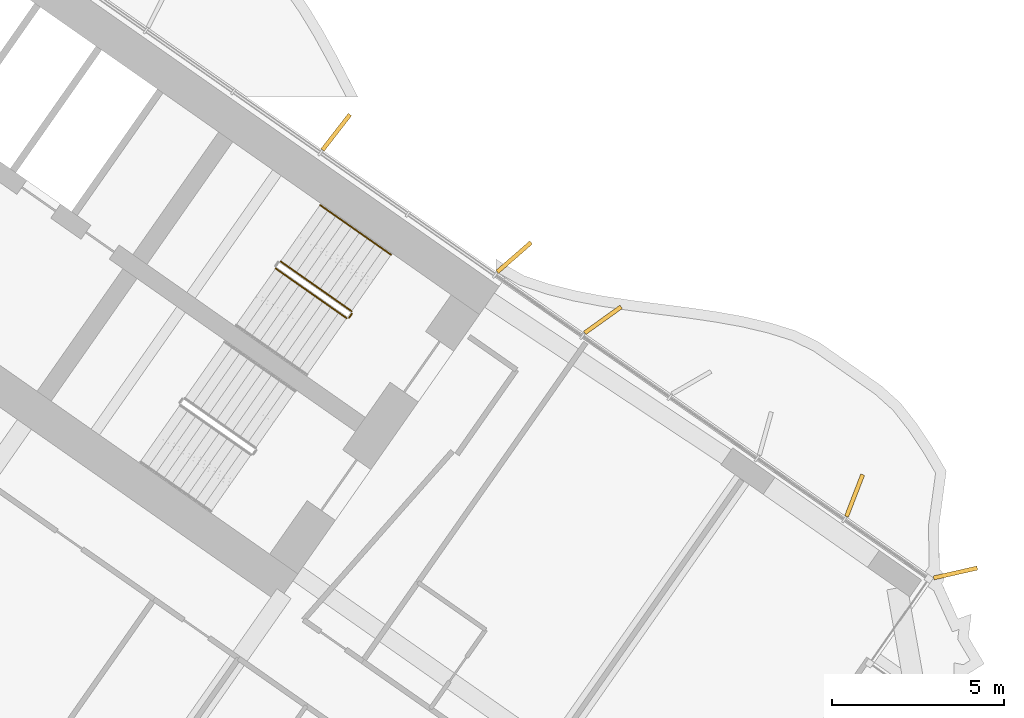
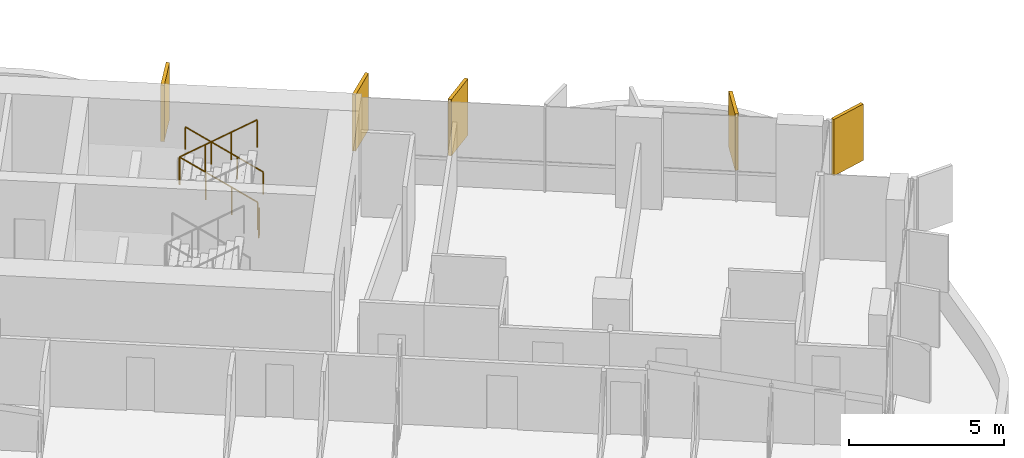
# One storey, part 23 of 23: 5 shading devices, 4 railings.
"""IFC4 building model written with IfcOpenShell, lengths in metres."""

import ifcopenshell
import ifcopenshell.guid

model = None  # the IFC model being written
_history = None  # IfcOwnerHistory: only IFC2X3 demands one
_inside = {}  # id of a spatial element -> (the spatial element, [elements in it])
_under = {}  # id of a project, library or spatial element -> (it, [spatial elements below it])
_declared = {}  # id of a project -> (the project, [libraries it declares])
_typed = {}  # id of a type object -> (the type object, [elements of that type])
_made_of = {}  # id of a material, layer set ... -> (it, [elements and type objects made of it])


def new_model(schema):
    """Start an empty IFC model of exactly this schema.

    Asked for "IFC4X3", IfcOpenShell would pick the latest addendum, in which some entities
    have other attributes; the version numbers below select the first issue.
    IFC2X3 requires an IfcOwnerHistory on every rooted entity: one is made here for all.
    """
    global model, _history
    if schema == "IFC4X3":
        model = ifcopenshell.file(schema_version=(4, 3, 0, 0))
    else:
        model = ifcopenshell.file(schema=schema)
    _inside.clear()
    _under.clear()
    _declared.clear()
    _typed.clear()
    _made_of.clear()
    _history = None
    if model.schema == "IFC2X3":
        org = make("IfcOrganization", Name="unknown")
        user = make(
            "IfcPersonAndOrganization",
            ThePerson=make("IfcPerson", FamilyName="unknown"),
            TheOrganization=org,
        )
        app = make(
            "IfcApplication",
            ApplicationDeveloper=org,
            Version="unknown",
            ApplicationFullName="unknown",
            ApplicationIdentifier="unknown",
        )
        _history = make(
            "IfcOwnerHistory",
            OwningUser=user,
            OwningApplication=app,
            ChangeAction="ADDED",
            CreationDate=0,
        )
    return model


def make(cls, **values):
    """One entity of the class cls with the attributes given. An attribute that is None is left unset."""
    return model.create_entity(
        cls, **{name: value for name, value in values.items() if value is not None}
    )


def rooted(cls, **values):
    """An entity with a GlobalId (a new one), such as an element, a storey or a relation."""
    return make(cls, GlobalId=ifcopenshell.guid.new(), OwnerHistory=_history, **values)


def si_unit(unit_type, name, prefix=None):
    """IfcSIUnit, for example si_unit("LENGTHUNIT", "METRE", prefix="MILLI")."""
    return make("IfcSIUnit", UnitType=unit_type, Prefix=prefix, Name=name)


def assignment(units):
    """IfcUnitAssignment: the units of a project."""
    return None if units is None else make("IfcUnitAssignment", Units=units)


def point(xyz):
    """IfcCartesianPoint."""
    return None if xyz is None else make("IfcCartesianPoint", Coordinates=xyz)


def direction(xyz):
    """IfcDirection."""
    return None if xyz is None else make("IfcDirection", DirectionRatios=xyz)


def frame(location, z_axis=None, x_axis=None):
    """IfcAxis2Placement3D, a coordinate frame: its origin and axes. An axis left out is left unset."""
    return make(
        "IfcAxis2Placement3D",
        Location=point(location),
        Axis=direction(z_axis),
        RefDirection=direction(x_axis),
    )


def frame_2d(location, x_axis=None):
    """IfcAxis2Placement2D, a coordinate frame in the plane: its origin and x axis."""
    return make(
        "IfcAxis2Placement2D", Location=point(location), RefDirection=direction(x_axis)
    )


def origin():
    """The frame at (0, 0, 0) with its axes left unset."""
    return frame((0.0, 0.0, 0.0))


def origin_2d():
    """The frame at (0, 0) in the plane with its x axis left unset."""
    return frame_2d((0.0, 0.0))


def place(relative_to, where):
    """IfcLocalPlacement: puts the frame where relative to a parent placement (None: the world)."""
    return make(
        "IfcLocalPlacement", PlacementRelTo=relative_to, RelativePlacement=where
    )


def context(
    kind, dimensions, precision=None, world=None, true_north=None, identifier=None
):
    """IfcGeometricRepresentationContext, for example the 3D "Model" context."""
    return make(
        "IfcGeometricRepresentationContext",
        ContextIdentifier=identifier,
        ContextType=kind,
        CoordinateSpaceDimension=dimensions,
        Precision=precision,
        WorldCoordinateSystem=world,
        TrueNorth=true_north,
    )


def subcontext(parent, identifier, kind, view, scale=None):
    """IfcGeometricRepresentationSubContext, for example "Body" below "Model"."""
    return make(
        "IfcGeometricRepresentationSubContext",
        ContextIdentifier=identifier,
        ContextType=kind,
        ParentContext=parent,
        TargetScale=scale,
        TargetView=view,
    )


def project(units=None, contexts=None):
    """IfcProject with its units and contexts."""
    return rooted(
        "IfcProject",
        Name="project",
        RepresentationContexts=contexts,
        UnitsInContext=assignment(units),
    )


def spatial(cls, under=None, at=None, **own):
    """A site, building, storey or space (cls), placed at a placement, below another one or the project."""
    s = rooted(cls, ObjectPlacement=at, **own)
    if under is not None:
        _under.setdefault(under.id(), (under, []))[1].append(s)
    return s


def profile(cls, at=None, kind="AREA", **sizes):
    """A parametric profile (cls). Its sizes go by their IFC names, for example OverallWidth=200.0."""
    return make(cls, ProfileType=kind, Position=at, **sizes)


def rectangle(**sizes):
    """IfcRectangleProfileDef."""
    return profile("IfcRectangleProfileDef", **sizes)


def circle(**sizes):
    """IfcCircleProfileDef."""
    return profile("IfcCircleProfileDef", **sizes)


def extrude(swept, where, along, depth):
    """IfcExtrudedAreaSolid: the profile swept, set in the frame where, extruded along a direction by depth."""
    return make(
        "IfcExtrudedAreaSolid",
        SweptArea=swept,
        Position=where,
        ExtrudedDirection=direction(along),
        Depth=depth,
    )


def shape(context_of_items, identifier, shape_type, items):
    """IfcShapeRepresentation: the items that make up one representation, for example the "Body"."""
    return make(
        "IfcShapeRepresentation",
        ContextOfItems=context_of_items,
        RepresentationIdentifier=identifier,
        RepresentationType=shape_type,
        Items=items,
    )


def material(Name=None, Category=None):
    """IfcMaterial."""
    return make("IfcMaterial", Name=Name, Category=Category)


def layer(
    of_material, thickness, ventilated=None, Name=None, Category=None, Priority=None
):
    """IfcMaterialLayer: one layer of a wall or slab, of a material (None: an air gap)."""
    return make(
        "IfcMaterialLayer",
        Material=of_material,
        LayerThickness=thickness,
        IsVentilated=ventilated,
        Name=Name,
        Category=Category,
        Priority=Priority,
    )


def layer_set(layers, Name=None):
    """IfcMaterialLayerSet."""
    return make("IfcMaterialLayerSet", MaterialLayers=layers, LayerSetName=Name)


def made_of(thing, what):
    """Note that an element or type object is made of a material, layer set ...; save() writes the relation."""
    if what is not None:
        _made_of.setdefault(what.id(), (what, []))[1].append(thing)
    return thing


def type_object(cls, material=None, **own):
    """A type object (cls), such as IfcWallType, which elements share."""
    return made_of(rooted(cls, **own), material)


def element(
    cls,
    number,
    at=None,
    inside=None,
    cuts=None,
    type_object=None,
    material=None,
    context=None,
    identifier="Body",
    shape_type=None,
    held_by="IfcProductDefinitionShape",
    body=None,
    shapes=None,
    **own,
):
    """One element of the class cls, such as IfcWall. Its Tag is "e" and its number.

    at: its placement. inside: the storey or other place that contains it. cuts: it is an
    opening in that element (IfcRelVoidsElement). A single representation is given by context,
    identifier, shape_type and body (its items); several are given by shapes. held_by: the class
    of the entity that holds the representations. save() writes the other relations.
    """
    e = rooted(cls, Tag="e%d" % number, ObjectPlacement=at, **own)
    if body is not None:
        shapes = [shape(context, identifier, shape_type, body)]
    if shapes is not None:
        e.Representation = make(held_by, Representations=shapes)
    if inside is not None:
        _inside.setdefault(inside.id(), (inside, []))[1].append(e)
    if cuts is not None:
        rooted(
            "IfcRelVoidsElement", RelatingBuildingElement=cuts, RelatedOpeningElement=e
        )
    if type_object is not None:
        _typed.setdefault(type_object.id(), (type_object, []))[1].append(e)
    return made_of(e, material)


def aggregate(whole, parts):
    """IfcRelAggregates: a whole, such as a stair, and the parts it consists of."""
    return rooted("IfcRelAggregates", RelatingObject=whole, RelatedObjects=parts)


def save(model, path):
    """Write the relations noted so far, then the file.

    IfcRelAggregates (storeys below a building ...), IfcRelContainedInSpatialStructure (elements
    in a storey), IfcRelDefinesByType, IfcRelAssociatesMaterial and IfcRelDeclares: one each for
    every whole, place, type object, material and project.
    """
    for whole, parts in _under.values():
        aggregate(whole, parts)
    for where, things in _inside.values():
        rooted(
            "IfcRelContainedInSpatialStructure",
            RelatedElements=things,
            RelatingStructure=where,
        )
    for kind, things in _typed.values():
        rooted("IfcRelDefinesByType", RelatedObjects=things, RelatingType=kind)
    for what, things in _made_of.values():
        rooted("IfcRelAssociatesMaterial", RelatedObjects=things, RelatingMaterial=what)
    for by, libraries in _declared.values():
        rooted("IfcRelDeclares", RelatingContext=by, RelatedDefinitions=libraries)
    model.write(path)


model = new_model("IFC4")

# Units and contexts
model_context = context("Model", 3, precision=1e-05, world=origin(), true_north=direction((0.0, 1.0)))
body_context = subcontext(model_context, "Body", "Model", "MODEL_VIEW")
ifc_project = project(units=[si_unit("LENGTHUNIT", "METRE"), si_unit("AREAUNIT", "SQUARE_METRE"), si_unit("VOLUMEUNIT", "CUBIC_METRE"), si_unit("PLANEANGLEUNIT", "RADIAN"), si_unit("MASSUNIT", "GRAM", prefix="KILO")], contexts=[model_context])

# Site, building, storey
site_placement = place(None, origin())
site = spatial("IfcSite", under=ifc_project, at=site_placement, CompositionType="ELEMENT")
building_placement = place(site_placement, origin())
building = spatial("IfcBuilding", under=site, at=building_placement, Name="Tel Ilan Convention Tower", CompositionType="ELEMENT")
storey_placement = place(building_placement, frame((0.0, 0.0, 112.10009765625)))
storey = spatial("IfcBuildingStorey", under=building, at=storey_placement, Name="L24", CompositionType="ELEMENT", Elevation=112.10009765625)

# Shading devices
ifc_material_1 = material(Name="Aluminium, bronze anodised", Category="aluminium")
ifc_layer = layer(ifc_material_1, 0.1201171875)
ifc_layer_set = layer_set([ifc_layer], Name="FIN BRONZE 1300x120")
shading_device_type = type_object("IfcShadingDeviceType", Name="FIN BRONZE 1300x120", PredefinedType="USERDEFINED", material=ifc_layer_set)
for number, where, z_axis, x_axis, name in (
    (1, (28.40380859375, -6.283203125, 1.10009765625), (0.0, 0.0, 1.0), (0.753435896329, 0.657521368568, 0.0), "FIN"),
    (2, (23.23193359375, -2.653564453125, 1.10009765625), (0.0, 0.0, 1.0), (0.612600545196, 0.790392669516, 0.0), "FIN"),
    (3, (41.22705078125, -15.459716796875, 1.10009765625), (0.0, 0.0, 1.0), (0.975235208752, 0.221170268371, 0.0), "FIN"),
    (4, (38.2958984375, -13.209716796875, 1.10009765625), (0.0, 0.0, 1.0), (0.360177724803, 0.932883704733, 0.0), "FIN"),
    (5, (30.983154296875, -8.1044921875, 1.10009765625), (0.0, 0.0, 1.0), (0.813552070258, 0.581492071294, 0.0), "FIN"),
):
    element("IfcShadingDevice", number, at=place(storey_placement, frame(where, z_axis=z_axis, x_axis=x_axis)), inside=storey, type_object=shading_device_type, Name=name, ObjectType="FIN", PredefinedType="USERDEFINED", context=body_context, shape_type="SweptSolid", body=[
        extrude(rectangle(XDim=1.300048828125, YDim=0.1201171875, at=origin_2d()), origin(), (0.0, 0.0, 1.0), 2.219970703125),
    ])

# Railings
ifc_material_2 = material(Name="Stainless Steel Grade 316", Category="steel")
railing_type_1 = type_object("IfcRailingType", Name="Stainless Steel Stair Guard 1100 mm", PredefinedType="GUARDRAIL", material=ifc_material_2)
railing_1_placement = place(storey_placement, frame((23.6787109375, -7.8515625, 0.179931640625)))
element("IfcRailing", 6, at=railing_1_placement, inside=storey, type_object=railing_type_1, Name="L24 S3 stair guard 1", PredefinedType="GUARDRAIL", context=body_context, shape_type="SweptSolid", body=[
    extrude(circle(Radius=0.02392578125, at=origin_2d()), frame((0.0, 0.0, 1.076171875), z_axis=(-0.689043377453, 0.48253410265, 0.540721798865), x_axis=(-0.573624882958, -0.819118119475, 0.0)), (0.0, 0.0, 1.0), 2.995849609375),
    extrude(circle(Radius=0.02099609375, at=origin_2d()), origin(), (0.0, 0.0, 1.0), 1.052001953125),
    extrude(circle(Radius=0.02099609375, at=origin_2d()), frame((-0.68798828125, 0.48193359375, 0.5400390625)), (0.0, 0.0, 1.0), 1.052001953125),
    extrude(circle(Radius=0.02099609375, at=origin_2d()), frame((-1.376220703125, 0.963623046875, 1.079833984375)), (0.0, 0.0, 1.0), 1.052001953125),
    extrude(circle(Radius=0.02099609375, at=origin_2d()), frame((-2.064208984375, 1.445556640625, 1.619873046875)), (0.0, 0.0, 1.0), 1.052001953125),
])
railing_2_placement = place(storey_placement, frame((21.47119140625, -6.61083984375, 1.97998046875)))
element("IfcRailing", 7, at=railing_2_placement, inside=storey, type_object=railing_type_1, Name="L24 S3 stair guard 3", PredefinedType="GUARDRAIL", context=body_context, shape_type="SweptSolid", body=[
    extrude(circle(Radius=0.02392578125, at=origin_2d()), frame((0.0, 0.0, 1.076171875), z_axis=(0.689043377453, -0.48253410265, 0.540721798865), x_axis=(0.573624882958, 0.819118119475, 0.0)), (0.0, 0.0, 1.0), 2.995849609375),
    extrude(circle(Radius=0.02099609375, at=origin_2d()), origin(), (0.0, 0.0, 1.0), 1.052001953125),
    extrude(circle(Radius=0.02099609375, at=origin_2d()), frame((0.68798828125, -0.48193359375, 0.5400390625)), (0.0, 0.0, 1.0), 1.052001953125),
    extrude(circle(Radius=0.02099609375, at=origin_2d()), frame((1.376220703125, -0.963623046875, 1.079833984375)), (0.0, 0.0, 1.0), 1.052001953125),
    extrude(circle(Radius=0.02099609375, at=origin_2d()), frame((2.064208984375, -1.445556640625, 1.619873046875)), (0.0, 0.0, 1.0), 1.052001953125),
])
railing_3_placement = place(storey_placement, frame((23.691162109375, -7.921142578125, 0.0)))
element("IfcRailing", 8, at=railing_3_placement, inside=storey, type_object=railing_type_1, Name="L24 S3 stair guard 4", PredefinedType="GUARDRAIL", context=body_context, shape_type="SweptSolid", body=[
    extrude(circle(Radius=0.02392578125, at=origin_2d()), frame((0.0, 0.0, 1.076171875), z_axis=(-0.574444878118, -0.818543268254, 0.0), x_axis=(0.818543268254, -0.574444878118, 0.0)), (0.0, 0.0, 1.0), 0.150146484375),
    extrude(circle(Radius=0.02099609375, at=origin_2d()), origin(), (0.0, 0.0, 1.0), 1.052001953125),
    extrude(circle(Radius=0.02099609375, at=origin_2d()), frame((-0.086181640625, -0.122802734375, 0.0)), (0.0, 0.0, 1.0), 1.052001953125),
])
ifc_material_3 = material(Name="Stainless Steel Grade 316", Category="steel")
railing_type_2 = type_object("IfcRailingType", Name="Stainless Steel Stair Handrail 900 mm", PredefinedType="HANDRAIL", material=ifc_material_3)
railing_4_placement = place(storey_placement, frame((24.825927734375, -6.213134765625, 0.179931640625)))
element("IfcRailing", 9, at=railing_4_placement, inside=storey, type_object=railing_type_2, Name="L24 S3 stair handrail 1", PredefinedType="HANDRAIL", context=body_context, shape_type="SweptSolid", body=[
    extrude(circle(Radius=0.02392578125, at=origin_2d()), frame((0.0, 0.0, 0.8759765625), z_axis=(-0.68907047291, 0.482471578903, 0.540743061828), x_axis=(-0.573559875649, -0.819163639968, 0.0)), (0.0, 0.0, 1.0), 2.99560546875),
    extrude(circle(Radius=0.02099609375, at=origin_2d()), origin(), (0.0, 0.0, 1.0), 0.851806640625),
    extrude(circle(Radius=0.02099609375, at=origin_2d()), frame((-0.68798828125, 0.481689453125, 0.5400390625)), (0.0, 0.0, 1.0), 0.851806640625),
    extrude(circle(Radius=0.02099609375, at=origin_2d()), frame((-1.376220703125, 0.963623046875, 1.079833984375)), (0.0, 0.0, 1.0), 0.851806640625),
    extrude(circle(Radius=0.02099609375, at=origin_2d()), frame((-2.064208984375, 1.4453125, 1.619873046875)), (0.0, 0.0, 1.0), 0.851806640625),
])

save(model, "model.ifc")
